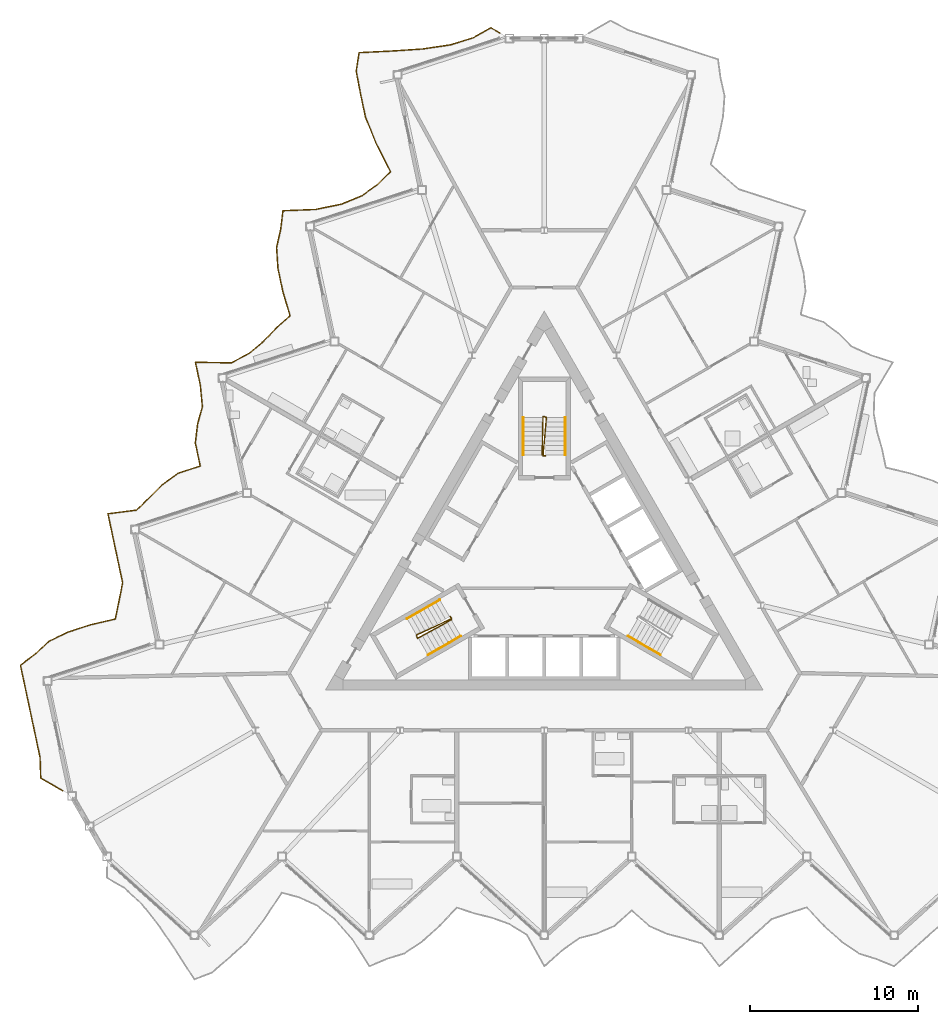
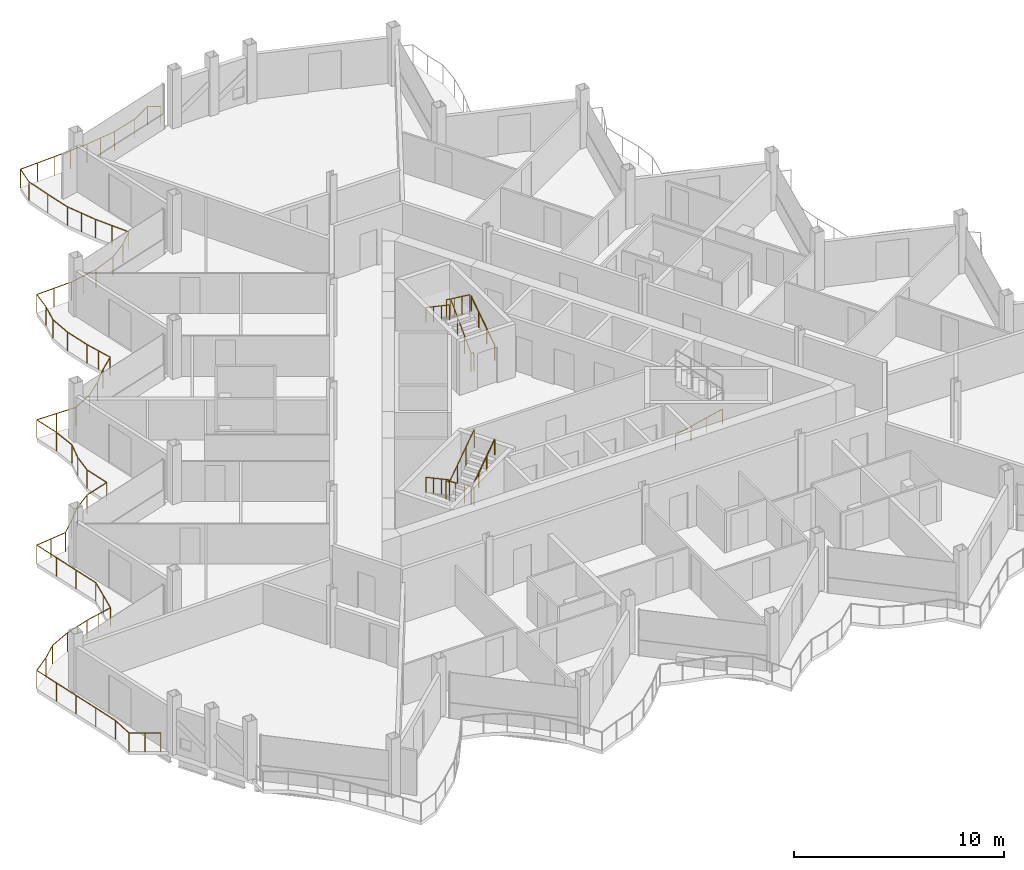
# One storey, part 22 of 25: 8 railings.
"""IFC4 building model written with IfcOpenShell, lengths in metres."""

from ifc_helpers import new_model, si_unit, direction, frame, origin, origin_2d, place, context, subcontext, project, spatial, circle, extrude, material, type_object, element, save


model = new_model("IFC4")

# Units and contexts
model_context = context("Model", 3, precision=1e-05, world=origin(), true_north=direction((0.0, 1.0)))
body_context = subcontext(model_context, "Body", "Model", "MODEL_VIEW")
ifc_project = project(units=[si_unit("LENGTHUNIT", "METRE"), si_unit("AREAUNIT", "SQUARE_METRE"), si_unit("VOLUMEUNIT", "CUBIC_METRE"), si_unit("PLANEANGLEUNIT", "RADIAN"), si_unit("MASSUNIT", "GRAM", prefix="KILO")], contexts=[model_context])

# Site, building, storey
site_placement = place(None, origin())
site = spatial("IfcSite", under=ifc_project, at=site_placement, CompositionType="ELEMENT")
building_placement = place(site_placement, origin())
building = spatial("IfcBuilding", under=site, at=building_placement, Name="Cormorant Prow Tower", CompositionType="ELEMENT")
storey_placement = place(building_placement, frame((0.0, 0.0, 395.0)))
storey = spatial("IfcBuildingStorey", under=building, at=storey_placement, Name="L90", CompositionType="ELEMENT", Elevation=395.0)

# Railings
ifc_material_1 = material(Name="Aluminium 6063-T6", Category="aluminium")
railing_type_1 = type_object("IfcRailingType", Name="Balcony guard 1100", PredefinedType="GUARDRAIL", material=ifc_material_1)
railing_1_placement = place(storey_placement, frame((-2.627197265625, 31.5390625, 0.0)))
element("IfcRailing", 1, at=railing_1_placement, inside=storey, type_object=railing_type_1, Name="Balcony guard WNW", PredefinedType="GUARDRAIL", context=body_context, shape_type="SweptSolid", body=[
    extrude(circle(Radius=0.02392578125, at=origin_2d()), frame((0.0, 0.0, 1.076171875), z_axis=(-0.865942655036, 0.500143297656, 0.0), x_axis=(-0.500143297656, -0.865942655036, 0.0)), (0.0, 0.0, 1.0), 0.635986328125),
    extrude(circle(Radius=0.02392578125, at=origin_2d()), frame((-0.55078125, 0.318115234375, 1.076171875), z_axis=(-0.867580618744, -0.497296561399, 0.0), x_axis=(0.497296561399, -0.867580618744, 0.0)), (0.0, 0.0, 1.0), 1.203369140625),
    extrude(circle(Radius=0.02392578125, at=origin_2d()), frame((-1.5947265625, -0.2802734375, 1.076171875), z_axis=(-0.955252285549, -0.295792276697, 0.0), x_axis=(0.295792276697, -0.955252285549, 0.0)), (0.0, 0.0, 1.0), 1.417236328125),
    extrude(circle(Radius=0.02392578125, at=origin_2d()), frame((-2.948486328125, -0.699462890625, 1.076171875), z_axis=(-0.989322080708, -0.145745739645, 0.0), x_axis=(0.145745739645, -0.989322080708, 0.0)), (0.0, 0.0, 1.0), 1.675048828125),
    extrude(circle(Radius=0.02392578125, at=origin_2d()), frame((-4.605712890625, -0.943603515625, 1.076171875), z_axis=(-0.997777056022, -0.066640426738, 0.0), x_axis=(0.066640426738, -0.997777056022, 0.0)), (0.0, 0.0, 1.0), 1.868408203125),
    extrude(circle(Radius=0.02392578125, at=origin_2d()), frame((-6.469970703125, -1.068115234375, 1.076171875), z_axis=(-0.998752974006, -0.049924912753, 0.0), x_axis=(0.049924912753, -0.998752974006, 0.0)), (0.0, 0.0, 1.0), 1.9169921875),
    extrude(circle(Radius=0.02392578125, at=origin_2d()), frame((-8.384521484375, -1.163818359375, 1.076171875), z_axis=(-0.153027715163, -0.988221897345, 0.0), x_axis=(0.988221897345, -0.153027715163, 0.0)), (0.0, 0.0, 1.0), 1.115234375),
    extrude(circle(Radius=0.02392578125, at=origin_2d()), frame((-8.55517578125, -2.265869140625, 1.076171875), z_axis=(0.186842519377, -0.982389878283, 0.0), x_axis=(0.982389878283, 0.186842519377, 0.0)), (0.0, 0.0, 1.0), 1.373291015625),
    extrude(circle(Radius=0.02392578125, at=origin_2d()), frame((-8.298583984375, -3.614990234375, 1.076171875), z_axis=(0.20777738218, -0.978176139279, 0.0), x_axis=(0.978176139279, 0.20777738218, 0.0)), (0.0, 0.0, 1.0), 1.3994140625),
    extrude(circle(Radius=0.02392578125, at=origin_2d()), frame((-8.0078125, -4.98388671875, 1.076171875), z_axis=(0.374701964674, -0.927145316371, 0.0), x_axis=(0.927145316371, 0.374701964674, 0.0)), (0.0, 0.0, 1.0), 1.689453125),
    extrude(circle(Radius=0.02392578125, at=origin_2d()), frame((-7.374755859375, -6.55029296875, 1.076171875), z_axis=(0.45075854603, -0.892645917025, 0.0), x_axis=(0.892645917025, 0.45075854603, 0.0)), (0.0, 0.0, 1.0), 1.89892578125),
    extrude(circle(Radius=0.02392578125, at=origin_2d()), frame((-6.518798828125, -8.245361328125, 1.076171875), z_axis=(-0.70993268752, -0.704269535896, 0.0), x_axis=(0.704269535896, -0.70993268752, 0.0)), (0.0, 0.0, 1.0), 1.077880859375),
    extrude(circle(Radius=0.02392578125, at=origin_2d()), frame((-7.283935546875, -9.00439453125, 1.076171875), z_axis=(-0.814468690865, -0.580207507363, 0.0), x_axis=(0.580207507363, -0.814468690865, 0.0)), (0.0, 0.0, 1.0), 1.143310546875),
    extrude(circle(Radius=0.02392578125, at=origin_2d()), frame((-8.215087890625, -9.667724609375, 1.076171875), z_axis=(-0.924870445387, -0.380282341491, 0.0), x_axis=(0.380282341491, -0.924870445387, 0.0)), (0.0, 0.0, 1.0), 1.3134765625),
    extrude(circle(Radius=0.02392578125, at=origin_2d()), frame((-9.429931640625, -10.167236328125, 1.076171875), z_axis=(-0.979411705303, -0.201873008388, 0.0), x_axis=(0.201873008388, -0.979411705303, 0.0)), (0.0, 0.0, 1.0), 1.56494140625),
    extrude(circle(Radius=0.02392578125, at=origin_2d()), frame((-10.962646484375, -10.483154296875, 1.076171875), z_axis=(-0.999241818461, -0.038933125224, 0.0), x_axis=(0.038933125224, -0.999241818461, 0.0)), (0.0, 0.0, 1.0), 1.9501953125),
    extrude(circle(Radius=0.02392578125, at=origin_2d()), frame((-12.911376953125, -10.55908203125, 1.076171875), z_axis=(-0.118932433639, -0.992902349795, 0.0), x_axis=(0.992902349795, -0.118932433639, 0.0)), (0.0, 0.0, 1.0), 1.131103515625),
    extrude(circle(Radius=0.02392578125, at=origin_2d()), frame((-13.0458984375, -11.68212890625, 1.076171875), z_axis=(-0.223695904848, -0.974658987623, 0.0), x_axis=(0.974658987623, -0.223695904848, 0.0)), (0.0, 0.0, 1.0), 1.088134765625),
    extrude(circle(Radius=0.02392578125, at=origin_2d()), frame((-13.289306640625, -12.74267578125, 1.076171875), z_axis=(0.065210154298, -0.997871552744, 0.0), x_axis=(0.997871552744, 0.065210154298, 0.0)), (0.0, 0.0, 1.0), 1.25048828125),
    extrude(circle(Radius=0.02392578125, at=origin_2d()), frame((-13.207763671875, -13.990478515625, 1.076171875), z_axis=(0.207944297815, -0.978140669335, 0.0), x_axis=(0.978140669335, 0.207944297815, 0.0)), (0.0, 0.0, 1.0), 1.3994140625),
    extrude(circle(Radius=0.02392578125, at=origin_2d()), frame((-12.916748046875, -15.359375, 1.076171875), z_axis=(0.285274769727, -0.958445776117, 0.0), x_axis=(0.958445776117, 0.285274769727, 0.0)), (0.0, 0.0, 1.0), 1.51318359375),
    extrude(circle(Radius=0.02392578125, at=origin_2d()), frame((-12.485107421875, -16.8095703125, 1.076171875), z_axis=(-0.747851627765, -0.66386590728, 0.0), x_axis=(0.66386590728, -0.747851627765, 0.0)), (0.0, 0.0, 1.0), 1.095947265625),
    extrude(circle(Radius=0.02392578125, at=origin_2d()), frame((-13.3046875, -17.537109375, 1.076171875), z_axis=(-0.694118707178, -0.719860556181, 0.0), x_axis=(0.719860556181, -0.694118707178, 0.0)), (0.0, 0.0, 1.0), 1.07177734375),
    extrude(circle(Radius=0.02392578125, at=origin_2d()), frame((-14.048583984375, -18.30859375, 1.076171875), z_axis=(-0.761748334481, -0.647873039195, 0.0), x_axis=(0.647873039195, -0.761748334481, 0.0)), (0.0, 0.0, 1.0), 1.10400390625),
    extrude(circle(Radius=0.02392578125, at=origin_2d()), frame((-14.8896484375, -19.02392578125, 1.076171875), z_axis=(-0.882788053119, -0.469771490482, 0.0), x_axis=(0.469771490482, -0.882788053119, 0.0)), (0.0, 0.0, 1.0), 1.22607421875),
    extrude(circle(Radius=0.02392578125, at=origin_2d()), frame((-15.971923828125, -19.599853515625, 1.076171875), z_axis=(-0.999872403922, 0.015974225328, 0.0), x_axis=(-0.015974225328, -0.999872403922, 0.0)), (0.0, 0.0, 1.0), 2.1396484375),
    extrude(circle(Radius=0.02392578125, at=origin_2d()), frame((-18.111328125, -19.565673828125, 1.076171875), z_axis=(0.207944297815, -0.978140669335, 0.0), x_axis=(0.978140669335, 0.207944297815, 0.0)), (0.0, 0.0, 1.0), 1.3994140625),
    extrude(circle(Radius=0.02392578125, at=origin_2d()), frame((-17.8203125, -20.9345703125, 1.076171875), z_axis=(0.095566726769, -0.995423026022, 0.0), x_axis=(0.995423026022, 0.095566726769, 0.0)), (0.0, 0.0, 1.0), 1.27734375),
    extrude(circle(Radius=0.02392578125, at=origin_2d()), frame((-17.6982421875, -22.2060546875, 1.076171875), z_axis=(-0.265827069275, -0.964020730711, 0.0), x_axis=(0.964020730711, -0.265827069275, 0.0)), (0.0, 0.0, 1.0), 1.074462890625),
    extrude(circle(Radius=0.02392578125, at=origin_2d()), frame((-17.98388671875, -23.241943359375, 1.076171875), z_axis=(-0.11731670718, -0.993094552506, 0.0), x_axis=(0.993094552506, -0.11731670718, 0.0)), (0.0, 0.0, 1.0), 1.132080078125),
    extrude(circle(Radius=0.02392578125, at=origin_2d()), frame((-18.11669921875, -24.3662109375, 1.076171875), z_axis=(0.207979786632, -0.978133124044, 0.0), x_axis=(0.978133124044, 0.207979786632, 0.0)), (0.0, 0.0, 1.0), 1.399169921875),
    extrude(circle(Radius=0.02392578125, at=origin_2d()), frame((-17.82568359375, -25.73486328125, 1.076171875), z_axis=(-0.951028941009, -0.309101849499, 0.0), x_axis=(0.309101849499, -0.951028941009, 0.0)), (0.0, 0.0, 1.0), 1.399658203125),
    extrude(circle(Radius=0.02392578125, at=origin_2d()), frame((-19.15673828125, -26.16748046875, 1.076171875), z_axis=(-0.8082904718, -0.588783927428, 0.0), x_axis=(0.588783927428, -0.8082904718, 0.0)), (0.0, 0.0, 1.0), 1.1376953125),
    extrude(circle(Radius=0.02392578125, at=origin_2d()), frame((-20.076416015625, -26.83740234375, 1.076171875), z_axis=(-0.702777909554, -0.711409312451, 0.0), x_axis=(0.711409312451, -0.702777909554, 0.0)), (0.0, 0.0, 1.0), 1.074951171875),
    extrude(circle(Radius=0.02392578125, at=origin_2d()), frame((-20.831787109375, -27.60205078125, 1.076171875), z_axis=(-0.719518081238, -0.694473707761, 0.0), x_axis=(0.694473707761, -0.719518081238, 0.0)), (0.0, 0.0, 1.0), 1.08203125),
    extrude(circle(Radius=0.02392578125, at=origin_2d()), frame((-21.6103515625, -28.353515625, 1.076171875), z_axis=(-0.991833717646, -0.127537745553, 0.0), x_axis=(0.127537745553, -0.991833717646, 0.0)), (0.0, 0.0, 1.0), 1.715087890625),
    extrude(circle(Radius=0.02392578125, at=origin_2d()), frame((-23.3115234375, -28.572265625, 1.076171875), z_axis=(0.207944297815, -0.978140669335, 0.0), x_axis=(0.978140669335, 0.207944297815, 0.0)), (0.0, 0.0, 1.0), 1.3994140625),
    extrude(circle(Radius=0.02392578125, at=origin_2d()), frame((-23.0205078125, -29.941162109375, 1.076171875), z_axis=(0.207944297815, -0.978140669335, 0.0), x_axis=(0.978140669335, 0.207944297815, 0.0)), (0.0, 0.0, 1.0), 1.3994140625),
    extrude(circle(Radius=0.02392578125, at=origin_2d()), frame((-22.7294921875, -31.31005859375, 1.076171875), z_axis=(0.207944297815, -0.978140669335, 0.0), x_axis=(0.978140669335, 0.207944297815, 0.0)), (0.0, 0.0, 1.0), 1.3994140625),
    extrude(circle(Radius=0.02392578125, at=origin_2d()), frame((-22.4384765625, -32.678955078125, 1.076171875), z_axis=(-0.193723064717, -0.981056254349, 0.0), x_axis=(0.981056254349, -0.193723064717, 0.0)), (0.0, 0.0, 1.0), 1.098876953125),
    extrude(circle(Radius=0.02392578125, at=origin_2d()), frame((-22.6513671875, -33.757080078125, 1.076171875), z_axis=(-0.204559970055, -0.978854033373, 0.0), x_axis=(0.978854033373, -0.204559970055, 0.0)), (0.0, 0.0, 1.0), 1.094482421875),
    extrude(circle(Radius=0.02392578125, at=origin_2d()), frame((-22.875244140625, -34.828369140625, 1.076171875), z_axis=(-0.973836474396, -0.227249908989, 0.0), x_axis=(0.227249908989, -0.973836474396, 0.0)), (0.0, 0.0, 1.0), 1.521240234375),
    extrude(circle(Radius=0.02392578125, at=origin_2d()), frame((-24.356689453125, -35.174072265625, 1.076171875), z_axis=(-0.951080208938, -0.308944066403, 0.0), x_axis=(0.308944066403, -0.951080208938, 0.0)), (0.0, 0.0, 1.0), 1.3994140625),
    extrude(circle(Radius=0.02392578125, at=origin_2d()), frame((-25.687744140625, -35.6064453125, 1.076171875), z_axis=(-0.900289356224, -0.435291942345, 0.0), x_axis=(0.435291942345, -0.900289356224, 0.0)), (0.0, 0.0, 1.0), 1.257568359375),
    extrude(circle(Radius=0.02392578125, at=origin_2d()), frame((-26.81982421875, -36.15380859375, 1.076171875), z_axis=(-0.734356392461, -0.678764089247, 0.0), x_axis=(0.678764089247, -0.734356392461, 0.0)), (0.0, 0.0, 1.0), 1.089111328125),
    extrude(circle(Radius=0.02392578125, at=origin_2d()), frame((-27.61962890625, -36.89306640625, 1.076171875), z_axis=(-0.792728850952, -0.609574416185, 0.0), x_axis=(0.609574416185, -0.792728850952, 0.0)), (0.0, 0.0, 1.0), 1.125),
    extrude(circle(Radius=0.02392578125, at=origin_2d()), frame((-28.511474609375, -37.578857421875, 1.076171875), z_axis=(0.207944297815, -0.978140669335, 0.0), x_axis=(0.978140669335, 0.207944297815, 0.0)), (0.0, 0.0, 1.0), 1.3994140625),
    extrude(circle(Radius=0.02392578125, at=origin_2d()), frame((-28.220458984375, -38.94775390625, 1.076171875), z_axis=(0.207944297815, -0.978140669335, 0.0), x_axis=(0.978140669335, 0.207944297815, 0.0)), (0.0, 0.0, 1.0), 1.3994140625),
    extrude(circle(Radius=0.02392578125, at=origin_2d()), frame((-27.929443359375, -40.316650390625, 1.076171875), z_axis=(0.207944297815, -0.978140669335, 0.0), x_axis=(0.978140669335, 0.207944297815, 0.0)), (0.0, 0.0, 1.0), 1.3994140625),
    extrude(circle(Radius=0.02392578125, at=origin_2d()), frame((-27.638427734375, -41.685546875, 1.076171875), z_axis=(0.20777738218, -0.978176139279, 0.0), x_axis=(0.978176139279, 0.20777738218, 0.0)), (0.0, 0.0, 1.0), 1.3994140625),
    extrude(circle(Radius=0.02392578125, at=origin_2d()), frame((-27.34765625, -43.054443359375, 1.076171875), z_axis=(0.034839394762, -0.999392924016, 0.0), x_axis=(0.999392924016, 0.034839394762, 0.0)), (0.0, 0.0, 1.0), 1.226318359375),
    extrude(circle(Radius=0.02392578125, at=origin_2d()), frame((-27.304931640625, -44.280029296875, 1.076171875), z_axis=(0.866020997002, -0.500007632694, 0.0), x_axis=(0.500007632694, 0.866020997002, 0.0)), (0.0, 0.0, 1.0), 1.5068359375),
    extrude(circle(Radius=0.02099609375, at=origin_2d()), origin(), (0.0, 0.0, 1.0), 1.052001953125),
    extrude(circle(Radius=0.02099609375, at=origin_2d()), frame((-0.55078125, 0.318115234375, 0.0)), (0.0, 0.0, 1.0), 1.052001953125),
    extrude(circle(Radius=0.02099609375, at=origin_2d()), frame((-1.5947265625, -0.2802734375, 0.0)), (0.0, 0.0, 1.0), 1.052001953125),
    extrude(circle(Radius=0.02099609375, at=origin_2d()), frame((-2.948486328125, -0.699462890625, 0.0)), (0.0, 0.0, 1.0), 1.052001953125),
    extrude(circle(Radius=0.02099609375, at=origin_2d()), frame((-3.777099609375, -0.821533203125, 0.0)), (0.0, 0.0, 1.0), 1.052001953125),
    extrude(circle(Radius=0.02099609375, at=origin_2d()), frame((-4.605712890625, -0.943603515625, 0.0)), (0.0, 0.0, 1.0), 1.052001953125),
    extrude(circle(Radius=0.02099609375, at=origin_2d()), frame((-5.537841796875, -1.005859375, 0.0)), (0.0, 0.0, 1.0), 1.052001953125),
    extrude(circle(Radius=0.02099609375, at=origin_2d()), frame((-6.469970703125, -1.068115234375, 0.0)), (0.0, 0.0, 1.0), 1.052001953125),
    extrude(circle(Radius=0.02099609375, at=origin_2d()), frame((-7.42724609375, -1.115966796875, 0.0)), (0.0, 0.0, 1.0), 1.052001953125),
    extrude(circle(Radius=0.02099609375, at=origin_2d()), frame((-8.384521484375, -1.163818359375, 0.0)), (0.0, 0.0, 1.0), 1.052001953125),
    extrude(circle(Radius=0.02099609375, at=origin_2d()), frame((-8.55517578125, -2.265869140625, 0.0)), (0.0, 0.0, 1.0), 1.052001953125),
    extrude(circle(Radius=0.02099609375, at=origin_2d()), frame((-8.298583984375, -3.614990234375, 0.0)), (0.0, 0.0, 1.0), 1.052001953125),
    extrude(circle(Radius=0.02099609375, at=origin_2d()), frame((-8.0078125, -4.98388671875, 0.0)), (0.0, 0.0, 1.0), 1.052001953125),
    extrude(circle(Radius=0.02099609375, at=origin_2d()), frame((-7.69140625, -5.76708984375, 0.0)), (0.0, 0.0, 1.0), 1.052001953125),
    extrude(circle(Radius=0.02099609375, at=origin_2d()), frame((-7.374755859375, -6.55029296875, 0.0)), (0.0, 0.0, 1.0), 1.052001953125),
    extrude(circle(Radius=0.02099609375, at=origin_2d()), frame((-6.94677734375, -7.39794921875, 0.0)), (0.0, 0.0, 1.0), 1.052001953125),
    extrude(circle(Radius=0.02099609375, at=origin_2d()), frame((-6.518798828125, -8.245361328125, 0.0)), (0.0, 0.0, 1.0), 1.052001953125),
    extrude(circle(Radius=0.02099609375, at=origin_2d()), frame((-7.283935546875, -9.00439453125, 0.0)), (0.0, 0.0, 1.0), 1.052001953125),
    extrude(circle(Radius=0.02099609375, at=origin_2d()), frame((-8.215087890625, -9.667724609375, 0.0)), (0.0, 0.0, 1.0), 1.052001953125),
    extrude(circle(Radius=0.02099609375, at=origin_2d()), frame((-9.429931640625, -10.167236328125, 0.0)), (0.0, 0.0, 1.0), 1.052001953125),
    extrude(circle(Radius=0.02099609375, at=origin_2d()), frame((-10.1962890625, -10.3251953125, 0.0)), (0.0, 0.0, 1.0), 1.052001953125),
    extrude(circle(Radius=0.02099609375, at=origin_2d()), frame((-10.962646484375, -10.483154296875, 0.0)), (0.0, 0.0, 1.0), 1.052001953125),
    extrude(circle(Radius=0.02099609375, at=origin_2d()), frame((-11.93701171875, -10.52099609375, 0.0)), (0.0, 0.0, 1.0), 1.052001953125),
    extrude(circle(Radius=0.02099609375, at=origin_2d()), frame((-12.911376953125, -10.55908203125, 0.0)), (0.0, 0.0, 1.0), 1.052001953125),
    extrude(circle(Radius=0.02099609375, at=origin_2d()), frame((-13.0458984375, -11.68212890625, 0.0)), (0.0, 0.0, 1.0), 1.052001953125),
    extrude(circle(Radius=0.02099609375, at=origin_2d()), frame((-13.289306640625, -12.74267578125, 0.0)), (0.0, 0.0, 1.0), 1.052001953125),
    extrude(circle(Radius=0.02099609375, at=origin_2d()), frame((-13.207763671875, -13.990478515625, 0.0)), (0.0, 0.0, 1.0), 1.052001953125),
    extrude(circle(Radius=0.02099609375, at=origin_2d()), frame((-12.916748046875, -15.359375, 0.0)), (0.0, 0.0, 1.0), 1.052001953125),
    extrude(circle(Radius=0.02099609375, at=origin_2d()), frame((-12.700927734375, -16.08447265625, 0.0)), (0.0, 0.0, 1.0), 1.052001953125),
    extrude(circle(Radius=0.02099609375, at=origin_2d()), frame((-12.485107421875, -16.8095703125, 0.0)), (0.0, 0.0, 1.0), 1.052001953125),
    extrude(circle(Radius=0.02099609375, at=origin_2d()), frame((-13.3046875, -17.537109375, 0.0)), (0.0, 0.0, 1.0), 1.052001953125),
    extrude(circle(Radius=0.02099609375, at=origin_2d()), frame((-14.048583984375, -18.30859375, 0.0)), (0.0, 0.0, 1.0), 1.052001953125),
    extrude(circle(Radius=0.02099609375, at=origin_2d()), frame((-14.8896484375, -19.02392578125, 0.0)), (0.0, 0.0, 1.0), 1.052001953125),
    extrude(circle(Radius=0.02099609375, at=origin_2d()), frame((-15.971923828125, -19.599853515625, 0.0)), (0.0, 0.0, 1.0), 1.052001953125),
    extrude(circle(Radius=0.02099609375, at=origin_2d()), frame((-17.04150390625, -19.582763671875, 0.0)), (0.0, 0.0, 1.0), 1.052001953125),
    extrude(circle(Radius=0.02099609375, at=origin_2d()), frame((-18.111328125, -19.565673828125, 0.0)), (0.0, 0.0, 1.0), 1.052001953125),
    extrude(circle(Radius=0.02099609375, at=origin_2d()), frame((-17.8203125, -20.9345703125, 0.0)), (0.0, 0.0, 1.0), 1.052001953125),
    extrude(circle(Radius=0.02099609375, at=origin_2d()), frame((-17.6982421875, -22.2060546875, 0.0)), (0.0, 0.0, 1.0), 1.052001953125),
    extrude(circle(Radius=0.02099609375, at=origin_2d()), frame((-17.98388671875, -23.241943359375, 0.0)), (0.0, 0.0, 1.0), 1.052001953125),
    extrude(circle(Radius=0.02099609375, at=origin_2d()), frame((-18.11669921875, -24.3662109375, 0.0)), (0.0, 0.0, 1.0), 1.052001953125),
    extrude(circle(Radius=0.02099609375, at=origin_2d()), frame((-17.82568359375, -25.73486328125, 0.0)), (0.0, 0.0, 1.0), 1.052001953125),
    extrude(circle(Radius=0.02099609375, at=origin_2d()), frame((-19.15673828125, -26.16748046875, 0.0)), (0.0, 0.0, 1.0), 1.052001953125),
    extrude(circle(Radius=0.02099609375, at=origin_2d()), frame((-20.076416015625, -26.83740234375, 0.0)), (0.0, 0.0, 1.0), 1.052001953125),
    extrude(circle(Radius=0.02099609375, at=origin_2d()), frame((-20.831787109375, -27.60205078125, 0.0)), (0.0, 0.0, 1.0), 1.052001953125),
    extrude(circle(Radius=0.02099609375, at=origin_2d()), frame((-21.6103515625, -28.353515625, 0.0)), (0.0, 0.0, 1.0), 1.052001953125),
    extrude(circle(Radius=0.02099609375, at=origin_2d()), frame((-22.4609375, -28.462890625, 0.0)), (0.0, 0.0, 1.0), 1.052001953125),
    extrude(circle(Radius=0.02099609375, at=origin_2d()), frame((-23.3115234375, -28.572265625, 0.0)), (0.0, 0.0, 1.0), 1.052001953125),
    extrude(circle(Radius=0.02099609375, at=origin_2d()), frame((-23.0205078125, -29.941162109375, 0.0)), (0.0, 0.0, 1.0), 1.052001953125),
    extrude(circle(Radius=0.02099609375, at=origin_2d()), frame((-22.7294921875, -31.31005859375, 0.0)), (0.0, 0.0, 1.0), 1.052001953125),
    extrude(circle(Radius=0.02099609375, at=origin_2d()), frame((-22.4384765625, -32.678955078125, 0.0)), (0.0, 0.0, 1.0), 1.052001953125),
    extrude(circle(Radius=0.02099609375, at=origin_2d()), frame((-22.6513671875, -33.757080078125, 0.0)), (0.0, 0.0, 1.0), 1.052001953125),
    extrude(circle(Radius=0.02099609375, at=origin_2d()), frame((-22.875244140625, -34.828369140625, 0.0)), (0.0, 0.0, 1.0), 1.052001953125),
    extrude(circle(Radius=0.02099609375, at=origin_2d()), frame((-23.615966796875, -35.001220703125, 0.0)), (0.0, 0.0, 1.0), 1.052001953125),
    extrude(circle(Radius=0.02099609375, at=origin_2d()), frame((-24.356689453125, -35.174072265625, 0.0)), (0.0, 0.0, 1.0), 1.052001953125),
    extrude(circle(Radius=0.02099609375, at=origin_2d()), frame((-25.687744140625, -35.6064453125, 0.0)), (0.0, 0.0, 1.0), 1.052001953125),
    extrude(circle(Radius=0.02099609375, at=origin_2d()), frame((-26.81982421875, -36.15380859375, 0.0)), (0.0, 0.0, 1.0), 1.052001953125),
    extrude(circle(Radius=0.02099609375, at=origin_2d()), frame((-27.61962890625, -36.89306640625, 0.0)), (0.0, 0.0, 1.0), 1.052001953125),
    extrude(circle(Radius=0.02099609375, at=origin_2d()), frame((-28.511474609375, -37.578857421875, 0.0)), (0.0, 0.0, 1.0), 1.052001953125),
    extrude(circle(Radius=0.02099609375, at=origin_2d()), frame((-28.220458984375, -38.94775390625, 0.0)), (0.0, 0.0, 1.0), 1.052001953125),
    extrude(circle(Radius=0.02099609375, at=origin_2d()), frame((-27.929443359375, -40.316650390625, 0.0)), (0.0, 0.0, 1.0), 1.052001953125),
    extrude(circle(Radius=0.02099609375, at=origin_2d()), frame((-27.638427734375, -41.685546875, 0.0)), (0.0, 0.0, 1.0), 1.052001953125),
    extrude(circle(Radius=0.02099609375, at=origin_2d()), frame((-27.34765625, -43.054443359375, 0.0)), (0.0, 0.0, 1.0), 1.052001953125),
    extrude(circle(Radius=0.02099609375, at=origin_2d()), frame((-27.304931640625, -44.280029296875, 0.0)), (0.0, 0.0, 1.0), 1.052001953125),
    extrude(circle(Radius=0.02099609375, at=origin_2d()), frame((-26.65234375, -44.65673828125, 0.0)), (0.0, 0.0, 1.0), 1.052001953125),
    extrude(circle(Radius=0.02099609375, at=origin_2d()), frame((-26.0, -45.033447265625, 0.0)), (0.0, 0.0, 1.0), 1.052001953125),
])
ifc_material_2 = material(Name="Stainless steel", Category="steel")
railing_type_2 = type_object("IfcRailingType", Name="Stair guard 1100", PredefinedType="GUARDRAIL", material=ifc_material_2)
railing_2_placement = place(storey_placement, frame((-5.585205078125, -3.137939453125, 0.0)))
element("IfcRailing", 2, at=railing_2_placement, inside=storey, type_object=railing_type_2, Name="L90 ST1 stair guard 1", PredefinedType="GUARDRAIL", context=body_context, shape_type="SweptSolid", body=[
    extrude(circle(Radius=0.02392578125, at=origin_2d()), frame((0.0, 0.0, 1.076171875), z_axis=(0.501036270542, -0.865426285481, 0.0), x_axis=(0.865426285481, 0.501036270542, 0.0)), (0.0, 0.0, 1.0), 0.150146484375),
    extrude(circle(Radius=0.02392578125, at=origin_2d()), frame((0.0751953125, -0.1298828125, 1.076171875), z_axis=(-0.728641035543, -0.339941399566, 0.594577233152), x_axis=(0.422792438952, -0.906226546491, 0.0)), (0.0, 0.0, 1.0), 2.859130859375),
    extrude(circle(Radius=0.02392578125, at=origin_2d()), frame((-2.008056640625, -1.101806640625, 2.77587890625), z_axis=(0.275034262293, -0.961434425515, 0.0), x_axis=(0.961434425515, 0.275034262293, 0.0)), (0.0, 0.0, 1.0), 0.2060546875),
    extrude(circle(Radius=0.02392578125, at=origin_2d()), frame((-1.951416015625, -1.2998046875, 2.77587890625), z_axis=(0.704058451865, 0.386179398835, 0.595959032378), x_axis=(-0.480911908544, 0.87676891837, 0.0)), (0.0, 0.0, 1.0), 2.8525390625),
    extrude(circle(Radius=0.02099609375, at=origin_2d()), origin(), (0.0, 0.0, 1.0), 1.052001953125),
    extrude(circle(Radius=0.02099609375, at=origin_2d()), frame((0.0751953125, -0.1298828125, 0.0)), (0.0, 0.0, 1.0), 1.052001953125),
    extrude(circle(Radius=0.02099609375, at=origin_2d()), frame((-0.619140625, -0.453857421875, 0.566650390625)), (0.0, 0.0, 1.0), 1.052001953125),
    extrude(circle(Radius=0.02099609375, at=origin_2d()), frame((-1.313720703125, -0.77783203125, 1.13330078125)), (0.0, 0.0, 1.0), 1.052001953125),
    extrude(circle(Radius=0.02099609375, at=origin_2d()), frame((-2.008056640625, -1.101806640625, 1.699951171875)), (0.0, 0.0, 1.0), 1.052001953125),
    extrude(circle(Radius=0.02099609375, at=origin_2d()), frame((-1.951416015625, -1.2998046875, 1.699951171875)), (0.0, 0.0, 1.0), 1.052001953125),
    extrude(circle(Radius=0.02099609375, at=origin_2d()), frame((-1.281982421875, -0.9326171875, 2.2666015625)), (0.0, 0.0, 1.0), 1.052001953125),
    extrude(circle(Radius=0.02099609375, at=origin_2d()), frame((-0.612548828125, -0.5654296875, 2.833251953125)), (0.0, 0.0, 1.0), 1.052001953125),
    extrude(circle(Radius=0.02099609375, at=origin_2d()), frame((0.056884765625, -0.1982421875, 3.39990234375)), (0.0, 0.0, 1.0), 1.052001953125),
])
railing_3_placement = place(storey_placement, frame((0.074951171875, 6.40576171875, 0.0)))
element("IfcRailing", 3, at=railing_3_placement, inside=storey, type_object=railing_type_2, Name="L90 ST3 stair guard 1", PredefinedType="GUARDRAIL", context=body_context, shape_type="SweptSolid", body=[
    extrude(circle(Radius=0.02392578125, at=origin_2d()), frame((0.0, 0.0, 1.076171875), z_axis=(-1.0, 0.0, 0.0), x_axis=(0.0, -1.0, 0.0)), (0.0, 0.0, 1.0), 0.14990234375),
    extrude(circle(Radius=0.02392578125, at=origin_2d()), frame((-0.14990234375, 0.0, 1.076171875), z_axis=(0.069936542308, 0.800982621307, 0.594588698525), x_axis=(-0.996209839609, 0.086982500921, 0.0)), (0.0, 0.0, 1.0), 2.859130859375),
    extrude(circle(Radius=0.02392578125, at=origin_2d()), frame((0.050048828125, 2.2900390625, 2.77587890625), z_axis=(-0.970072785993, 0.242814311512, 0.0), x_axis=(-0.242814311512, -0.970072785993, 0.0)), (0.0, 0.0, 1.0), 0.2060546875),
    extrude(circle(Radius=0.02392578125, at=origin_2d()), frame((-0.14990234375, 2.340087890625, 2.77587890625), z_axis=(-0.017545750742, -0.80282508275, 0.595956402045), x_axis=(0.999761264773, -0.0218497931, 0.0)), (0.0, 0.0, 1.0), 2.8525390625),
    extrude(circle(Radius=0.02099609375, at=origin_2d()), origin(), (0.0, 0.0, 1.0), 1.052001953125),
    extrude(circle(Radius=0.02099609375, at=origin_2d()), frame((-0.14990234375, 0.0, 0.0)), (0.0, 0.0, 1.0), 1.052001953125),
    extrude(circle(Radius=0.02099609375, at=origin_2d()), frame((-0.083251953125, 0.763427734375, 0.566650390625)), (0.0, 0.0, 1.0), 1.052001953125),
    extrude(circle(Radius=0.02099609375, at=origin_2d()), frame((-0.0166015625, 1.526611328125, 1.13330078125)), (0.0, 0.0, 1.0), 1.052001953125),
    extrude(circle(Radius=0.02099609375, at=origin_2d()), frame((0.050048828125, 2.2900390625, 1.699951171875)), (0.0, 0.0, 1.0), 1.052001953125),
    extrude(circle(Radius=0.02099609375, at=origin_2d()), frame((-0.14990234375, 2.340087890625, 1.699951171875)), (0.0, 0.0, 1.0), 1.052001953125),
    extrude(circle(Radius=0.02099609375, at=origin_2d()), frame((-0.16650390625, 1.57666015625, 2.2666015625)), (0.0, 0.0, 1.0), 1.052001953125),
    extrude(circle(Radius=0.02099609375, at=origin_2d()), frame((-0.183349609375, 0.8134765625, 2.833251953125)), (0.0, 0.0, 1.0), 1.052001953125),
    extrude(circle(Radius=0.02099609375, at=origin_2d()), frame((-0.199951171875, 0.050048828125, 3.39990234375)), (0.0, 0.0, 1.0), 1.052001953125),
])
ifc_material_3 = material(Name="Stainless steel", Category="steel")
railing_type_3 = type_object("IfcRailingType", Name="Stair handrail 900", PredefinedType="HANDRAIL", material=ifc_material_3)
railing_4_placement = place(storey_placement, frame((-6.212890625, -2.150634765625, 0.18896484375)))
element("IfcRailing", 4, at=railing_4_placement, inside=storey, type_object=railing_type_3, Name="L90 ST1 stair handrail 1", PredefinedType="HANDRAIL", context=body_context, shape_type="SweptSolid", body=[
    extrude(circle(Radius=0.02392578125, at=origin_2d()), frame((0.0, 0.0, 0.8759765625), z_axis=(-0.717976596433, -0.414467486514, 0.559219375198), x_axis=(0.49994888933, -0.866054910533, 0.0)), (0.0, 0.0, 1.0), 2.701904296875),
    extrude(circle(Radius=0.02099609375, at=origin_2d()), origin(), (0.0, 0.0, 1.0), 0.851806640625),
    extrude(circle(Radius=0.02099609375, at=origin_2d()), frame((-0.646728515625, -0.373291015625, 0.503662109375)), (0.0, 0.0, 1.0), 0.851806640625),
    extrude(circle(Radius=0.02099609375, at=origin_2d()), frame((-1.293212890625, -0.74658203125, 1.00732421875)), (0.0, 0.0, 1.0), 0.851806640625),
    extrude(circle(Radius=0.02099609375, at=origin_2d()), frame((-1.93994140625, -1.119873046875, 1.510986328125)), (0.0, 0.0, 1.0), 0.851806640625),
])
railing_5_placement = place(storey_placement, frame((-6.90869140625, -5.42529296875, 1.888916015625)))
element("IfcRailing", 5, at=railing_5_placement, inside=storey, type_object=railing_type_3, Name="L90 ST1 stair handrail 2", PredefinedType="HANDRAIL", context=body_context, shape_type="SweptSolid", body=[
    extrude(circle(Radius=0.02392578125, at=origin_2d()), frame((0.0, 0.0, 0.8759765625), z_axis=(0.71790592183, 0.414569209485, 0.559234707389), x_axis=(-0.500077830873, 0.865980463445, 0.0)), (0.0, 0.0, 1.0), 2.701904296875),
    extrude(circle(Radius=0.02099609375, at=origin_2d()), origin(), (0.0, 0.0, 1.0), 0.851806640625),
    extrude(circle(Radius=0.02099609375, at=origin_2d()), frame((0.646484375, 0.373291015625, 0.503662109375)), (0.0, 0.0, 1.0), 0.851806640625),
    extrude(circle(Radius=0.02099609375, at=origin_2d()), frame((1.293212890625, 0.746826171875, 1.00732421875)), (0.0, 0.0, 1.0), 0.851806640625),
    extrude(circle(Radius=0.02099609375, at=origin_2d()), frame((1.939697265625, 1.1201171875, 1.510986328125)), (0.0, 0.0, 1.0), 0.851806640625),
])
railing_6_placement = place(storey_placement, frame((4.968994140625, -4.30517578125, 0.18896484375)))
element("IfcRailing", 6, at=railing_6_placement, inside=storey, type_object=railing_type_3, Name="L90 ST2 stair handrail 1", PredefinedType="HANDRAIL", context=body_context, shape_type="SweptSolid", body=[
    extrude(circle(Radius=0.02392578125, at=origin_2d()), frame((0.0, 0.0, 0.8759765625), z_axis=(0.71790592183, -0.414569209485, 0.559234707389), x_axis=(0.500077830873, 0.865980463445, 0.0)), (0.0, 0.0, 1.0), 2.701904296875),
    extrude(circle(Radius=0.02099609375, at=origin_2d()), origin(), (0.0, 0.0, 1.0), 0.851806640625),
    extrude(circle(Radius=0.02099609375, at=origin_2d()), frame((0.646484375, -0.373291015625, 0.503662109375)), (0.0, 0.0, 1.0), 0.851806640625),
    extrude(circle(Radius=0.02099609375, at=origin_2d()), frame((1.293212890625, -0.746826171875, 1.00732421875)), (0.0, 0.0, 1.0), 0.851806640625),
    extrude(circle(Radius=0.02099609375, at=origin_2d()), frame((1.939697265625, -1.1201171875, 1.510986328125)), (0.0, 0.0, 1.0), 0.851806640625),
])
railing_7_placement = place(storey_placement, frame((1.243896484375, 6.455810546875, 0.18896484375)))
element("IfcRailing", 7, at=railing_7_placement, inside=storey, type_object=railing_type_3, Name="L90 ST3 stair handrail 1", PredefinedType="HANDRAIL", context=body_context, shape_type="SweptSolid", body=[
    extrude(circle(Radius=0.02392578125, at=origin_2d()), frame((0.0, 0.0, 0.8759765625), z_axis=(0.0, 0.829021472004, 0.559216772778), x_axis=(-1.0, 0.0, 0.0)), (0.0, 0.0, 1.0), 2.701904296875),
    extrude(circle(Radius=0.02099609375, at=origin_2d()), origin(), (0.0, 0.0, 1.0), 0.851806640625),
    extrude(circle(Radius=0.02099609375, at=origin_2d()), frame((0.0, 0.74658203125, 0.503662109375)), (0.0, 0.0, 1.0), 0.851806640625),
    extrude(circle(Radius=0.02099609375, at=origin_2d()), frame((0.0, 1.493408203125, 1.00732421875)), (0.0, 0.0, 1.0), 0.851806640625),
    extrude(circle(Radius=0.02099609375, at=origin_2d()), frame((0.0, 2.239990234375, 1.510986328125)), (0.0, 0.0, 1.0), 0.851806640625),
])
railing_8_placement = place(storey_placement, frame((-1.243896484375, 8.69580078125, 1.888916015625)))
element("IfcRailing", 8, at=railing_8_placement, inside=storey, type_object=railing_type_3, Name="L90 ST3 stair handrail 2", PredefinedType="HANDRAIL", context=body_context, shape_type="SweptSolid", body=[
    extrude(circle(Radius=0.02392578125, at=origin_2d()), frame((0.0, 0.0, 0.8759765625), z_axis=(0.0, -0.829021472004, 0.559216772778), x_axis=(1.0, 0.0, 0.0)), (0.0, 0.0, 1.0), 2.701904296875),
    extrude(circle(Radius=0.02099609375, at=origin_2d()), origin(), (0.0, 0.0, 1.0), 0.851806640625),
    extrude(circle(Radius=0.02099609375, at=origin_2d()), frame((0.0, -0.74658203125, 0.503662109375)), (0.0, 0.0, 1.0), 0.851806640625),
    extrude(circle(Radius=0.02099609375, at=origin_2d()), frame((0.0, -1.493408203125, 1.00732421875)), (0.0, 0.0, 1.0), 0.851806640625),
    extrude(circle(Radius=0.02099609375, at=origin_2d()), frame((0.0, -2.239990234375, 1.510986328125)), (0.0, 0.0, 1.0), 0.851806640625),
])

save(model, "model.ifc")
